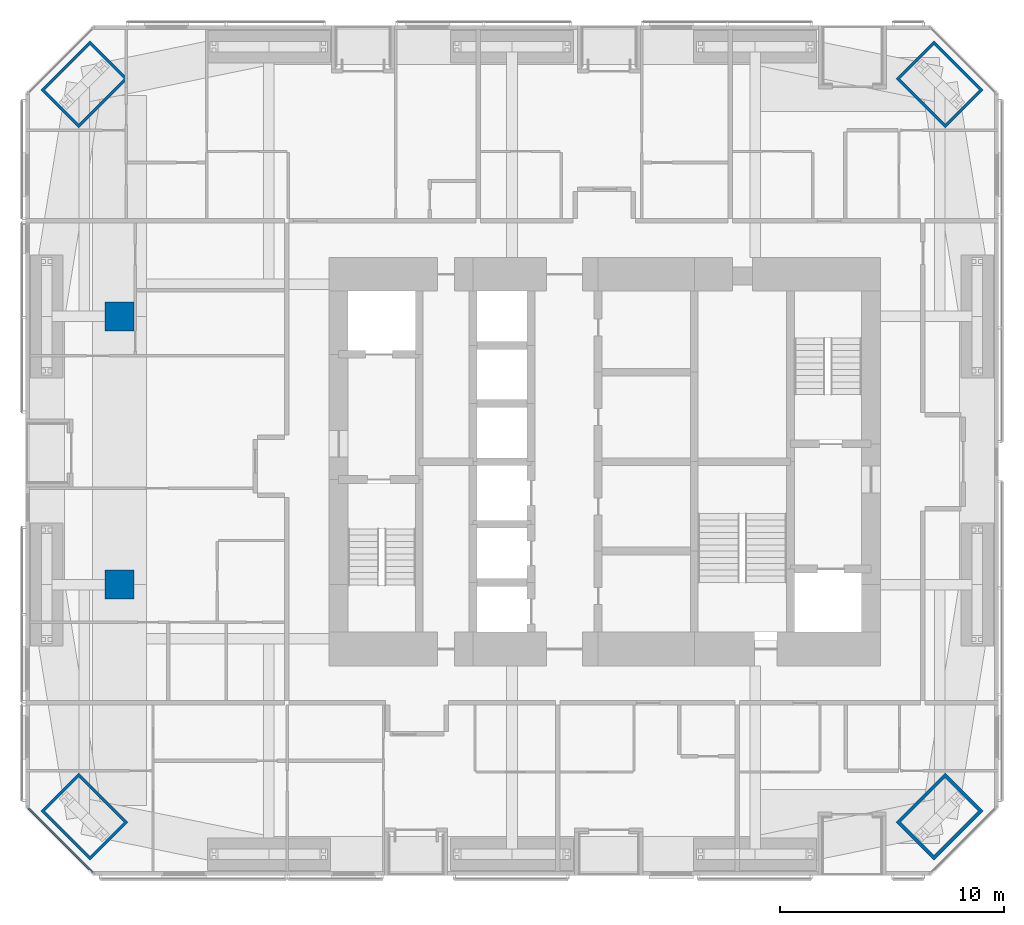
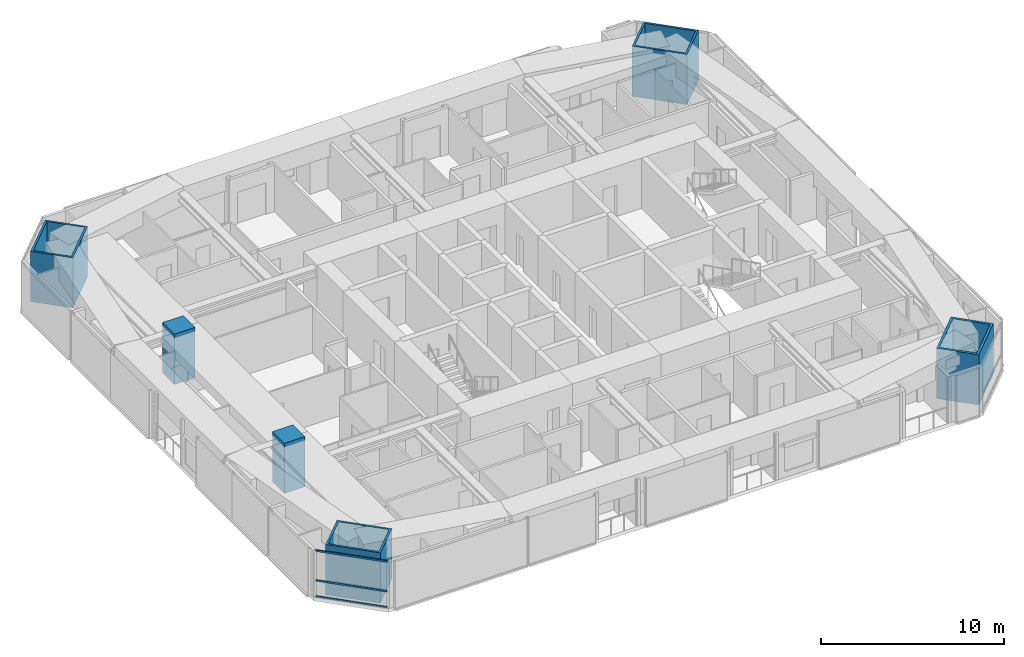
# One storey, part 1 of 23: 6 columns, 3 members, 1 element without a shape of its own.
"""IFC4 building model written with IfcOpenShell, lengths in metres."""

from ifc_helpers import new_model, si_unit, direction, frame, origin, origin_2d, place, context, subcontext, project, spatial, rectangle, hollow_rectangle, extrude, material, material_profile, profile_set, type_object, element, aggregate, save


model = new_model("IFC4")

# Units and contexts
model_context = context("Model", 3, precision=1e-05, world=origin(), true_north=direction((0.0, 1.0)))
body_context = subcontext(model_context, "Body", "Model", "MODEL_VIEW")
ifc_project = project(units=[si_unit("LENGTHUNIT", "METRE"), si_unit("AREAUNIT", "SQUARE_METRE"), si_unit("VOLUMEUNIT", "CUBIC_METRE"), si_unit("PLANEANGLEUNIT", "RADIAN"), si_unit("MASSUNIT", "GRAM", prefix="KILO")], contexts=[model_context])

# Site, building, storey
site_placement = place(None, origin())
site = spatial("IfcSite", under=ifc_project, at=site_placement, CompositionType="ELEMENT")
building_placement = place(site_placement, origin())
building = spatial("IfcBuilding", under=site, at=building_placement, Name="Jalousie Tower", CompositionType="ELEMENT")
storey_placement = place(building_placement, frame((0.0, 0.0, 88.10009765625)))
storey = spatial("IfcBuildingStorey", under=building, at=storey_placement, Name="L23", CompositionType="ELEMENT", Elevation=88.10009765625)

# Columns
ifc_material_1 = material(Name="Steel EN 10025-2 S355J2 plate", Category="steel")
ifc_material_profile_1 = material_profile(ifc_material_1, hollow_rectangle(XDim=2.39990234375, YDim=3.10009765625, WallThickness=0.125, at=origin_2d()), Name="BOX 3100x2400x125")
ifc_profile_set_1 = profile_set([ifc_material_profile_1], Name="Steel EN 10025-2 S355J2 plate")
column_type_1 = type_object("IfcColumnType", Name="BUILT-UP BOX CORNER COLUMN BOX 3100x2400x125", PredefinedType="COLUMN", material=ifc_profile_set_1)
for number, where, z_axis, x_axis, name in (
    (1, (8.63134765625, 2.63134765625, 0.0), (0.0, 0.0, 1.0), (0.707106781187, 0.707106781187, 0.0), "Corner column 01 L23"),
    (2, (46.86865234375, 35.36865234375, 0.0), (0.0, 0.0, 1.0), (-0.707106781187, -0.707106781187, 0.0), "Corner column 08 L23"),
    (3, (8.63134765625, 35.36865234375, 0.0), (0.0, 0.0, 1.0), (0.707106781187, -0.707106781187, 0.0), "Corner column 12 L23"),
):
    element("IfcColumn", number, at=place(storey_placement, frame(where, z_axis=z_axis, x_axis=x_axis)), inside=storey, type_object=column_type_1, Name=name, PredefinedType="COLUMN", context=body_context, shape_type="SweptSolid", body=[
        extrude(hollow_rectangle(XDim=2.39990234375, YDim=3.10009765625, WallThickness=0.125, at=origin_2d()), origin(), (0.0, 0.0, 1.0), 3.349853515625),
    ])
ifc_material_2 = material(Name="Steel EN 10025-2 S355J2 plate", Category="steel")
ifc_material_profile_2 = material_profile(ifc_material_2, hollow_rectangle(XDim=2.39990234375, YDim=3.10009765625, WallThickness=0.14990234375, at=origin_2d()), Name="BOX 3100x2400x150")
ifc_profile_set_2 = profile_set([ifc_material_profile_2], Name="Steel EN 10025-2 S355J2 plate")
column_type_2 = type_object("IfcColumnType", Name="BUILT-UP BOX CORNER COLUMN BOX 3100x2400x150", PredefinedType="COLUMN", material=ifc_profile_set_2)
column_placement = place(storey_placement, frame((46.86865234375, 2.63134765625, 0.0), z_axis=(0.0, 0.0, 1.0), x_axis=(-0.707106781187, 0.707106781187, 0.0)))
element("IfcColumn", 4, at=column_placement, inside=storey, type_object=column_type_2, Name="Corner column 05 L23", PredefinedType="COLUMN", context=body_context, shape_type="SweptSolid", body=[
    extrude(hollow_rectangle(XDim=2.39990234375, YDim=3.10009765625, WallThickness=0.14990234375, at=origin_2d()), origin(), (0.0, 0.0, 1.0), 3.349853515625),
])
ifc_material_3 = material(Name="Concrete f'c 120 MPa", Category="concrete")
ifc_material_profile_3 = material_profile(ifc_material_3, rectangle(XDim=1.300048828125, YDim=1.300048828125, at=origin_2d()), Name="RC 1300x1300")
ifc_profile_set_3 = profile_set([ifc_material_profile_3], Name="Concrete f'c 120 MPa")
column_type_3 = type_object("IfcColumnType", Name="RC COLUMN 1300x1300", PredefinedType="COLUMN", material=ifc_profile_set_3)
for number, where, z_axis, x_axis, name in (
    (5, (10.199951171875, 13.0, 0.0), (0.0, 0.0, 1.0), (1.0, 0.0, 0.0), "Interior column IB1 L23"),
    (6, (10.199951171875, 25.0, 0.0), (0.0, 0.0, 1.0), (1.0, 0.0, 0.0), "Interior column IB2 L23"),
):
    element("IfcColumn", number, at=place(storey_placement, frame(where, z_axis=z_axis, x_axis=x_axis)), inside=storey, type_object=column_type_3, Name=name, PredefinedType="COLUMN", context=body_context, shape_type="SweptSolid", body=[
        extrude(rectangle(XDim=1.300048828125, YDim=1.300048828125, at=origin_2d()), origin(), (0.0, 0.0, 1.0), 3.349853515625),
    ])

# Curtain wall, members
ifc_material_4 = material(Name="Aluminium curtain wall", Category="aluminium")
curtain_wall_type = type_object("IfcCurtainWallType", Name="CORNER WINDOW WALL", PredefinedType="USERDEFINED", material=ifc_material_4)
curtain_wall_placement = place(storey_placement, origin())
curtain_wall = element("IfcCurtainWall", 7, at=curtain_wall_placement, inside=storey, type_object=curtain_wall_type, Name="Corner Window Wall L23 8", ObjectType="CORNER WINDOW WALL", PredefinedType="USERDEFINED")
ifc_material_5 = material(Name="Aluminium transom", Category="aluminium")
ifc_material_profile_4 = material_profile(ifc_material_5, rectangle(XDim=0.06005859375, YDim=0.1201171875, at=origin_2d()), Name="TRANSOM 60x120")
ifc_profile_set_4 = profile_set([ifc_material_profile_4], Name="Aluminium transom")
member_type = type_object("IfcMemberType", Name="CORNER WINDOW WALL TRANSOM", PredefinedType="USERDEFINED", material=ifc_profile_set_4)
member_1_placement = place(storey_placement, frame((6.1298828125, 3.0087890625, 0.02978515625), z_axis=(0.707106781187, -0.707106781187, 0.0), x_axis=(0.707106781187, 0.707106781187, 0.0)))
member_1 = element("IfcMember", 8, at=member_1_placement, type_object=member_type, Name="CW-C transom 1.1", ObjectType="TRANSOM", PredefinedType="USERDEFINED", context=body_context, shape_type="SweptSolid", body=[
    extrude(rectangle(XDim=0.06005859375, YDim=0.1201171875, at=origin_2d()), origin(), (0.0, 0.0, 1.0), 4.0712890625),
])
member_2_placement = place(storey_placement, frame((6.1298828125, 3.0087890625, 1.099853515625), z_axis=(0.707106781187, -0.707106781187, 0.0), x_axis=(0.707106781187, 0.707106781187, 0.0)))
member_2 = element("IfcMember", 9, at=member_2_placement, type_object=member_type, Name="CW-C transom 1.2", ObjectType="TRANSOM", PredefinedType="USERDEFINED", context=body_context, shape_type="SweptSolid", body=[
    extrude(rectangle(XDim=0.06005859375, YDim=0.1201171875, at=origin_2d()), origin(), (0.0, 0.0, 1.0), 4.0712890625),
])
member_3_placement = place(storey_placement, frame((6.1298828125, 3.0087890625, 3.079833984375), z_axis=(0.707106781187, -0.707106781187, 0.0), x_axis=(0.707106781187, 0.707106781187, 0.0)))
member_3 = element("IfcMember", 10, at=member_3_placement, type_object=member_type, Name="CW-C transom 1.3", ObjectType="TRANSOM", PredefinedType="USERDEFINED", context=body_context, shape_type="SweptSolid", body=[
    extrude(rectangle(XDim=0.06005859375, YDim=0.1201171875, at=origin_2d()), origin(), (0.0, 0.0, 1.0), 4.0712890625),
])
aggregate(curtain_wall, [member_1, member_2, member_3])

save(model, "model.ifc")
